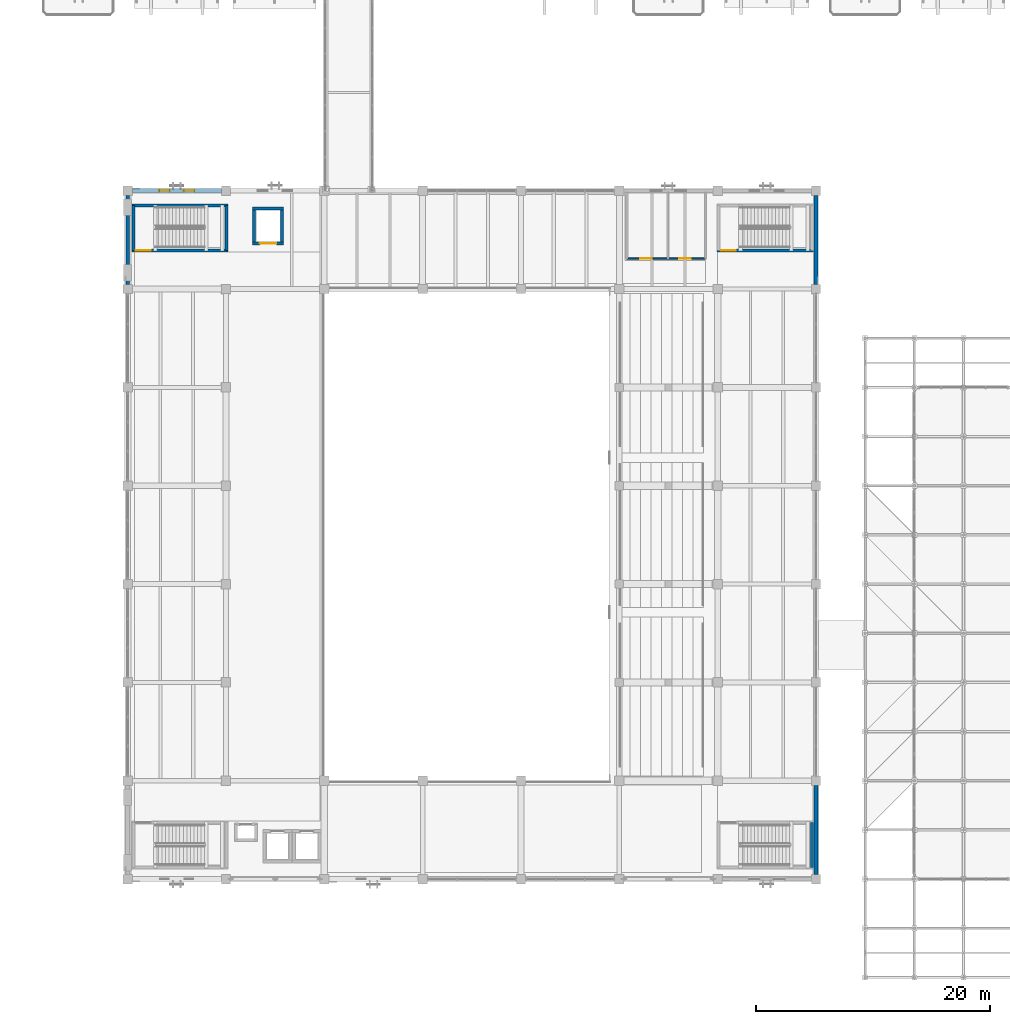
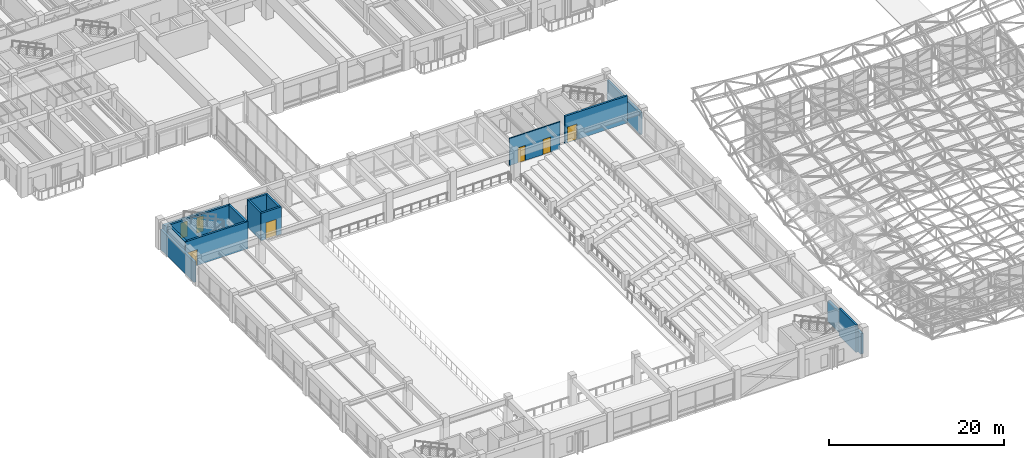
# One storey, part 83 of 132: 15 walls, 5 doors, 2 windows, 7 openings.
"""IFC4 building model written with IfcOpenShell, lengths in metres."""

from ifc_helpers import new_model, si_unit, direction, frame, frame_2d, origin, place, context, subcontext, project, spatial, rectangle, extrude, material, layer, layer_set, type_object, element, fill, save


model = new_model("IFC4")

# Units and contexts
model_context = context("Model", 3, precision=1e-05, world=origin(), true_north=direction((0.0, 1.0)))
body_context = subcontext(model_context, "Body", "Model", "MODEL_VIEW")
ifc_project = project(units=[si_unit("LENGTHUNIT", "METRE"), si_unit("AREAUNIT", "SQUARE_METRE"), si_unit("VOLUMEUNIT", "CUBIC_METRE"), si_unit("PLANEANGLEUNIT", "RADIAN"), si_unit("MASSUNIT", "GRAM", prefix="KILO")], contexts=[model_context])

# Site, building, storey
site_placement = place(None, origin())
site = spatial("IfcSite", under=ifc_project, at=site_placement, CompositionType="ELEMENT")
building_placement = place(site_placement, origin())
building = spatial("IfcBuilding", under=site, at=building_placement, Name="Cumbredor Promenade Congress Hotel", CompositionType="ELEMENT")
storey_placement = place(building_placement, frame((0.0, 0.0, 7.56005859375)))
storey = spatial("IfcBuildingStorey", under=building, at=storey_placement, Name="L02", CompositionType="ELEMENT", Elevation=7.56005859375)

# Walls
ifc_material_1 = material(Name="Concrete C40/50", Category="concrete")
ifc_layer_1 = layer(ifc_material_1, 0.300048828125, Name="Concrete C40/50", Category="concrete")
ifc_layer_set_1 = layer_set([ifc_layer_1], Name="Concrete C40/50")
wall_type_1 = type_object("IfcWallType", Name="WL-EXT-300", PredefinedType="SOLIDWALL", material=ifc_layer_set_1)
wall_1_placement = place(storey_placement, frame((8.39990234375, 59.200927734375, 0.0), z_axis=(0.0, 0.0, 1.0), x_axis=(0.0, 1.0, 0.0)))
element("IfcWall", 1, at=wall_1_placement, inside=storey, type_object=wall_type_1, Name="L02 Plenary Congress Hall West Envelope Wall 7", PredefinedType="SOLIDWALL", context=body_context, shape_type="SweptSolid", body=[
    extrude(rectangle(XDim=7.59814453125, YDim=0.300048828125, at=frame_2d((3.799072265625, 0.0))), origin(), (0.0, 0.0, 1.0), 2.8349609375),
])
wall_2_placement = place(storey_placement, frame((67.199951171875, 59.200927734375, 0.0), z_axis=(0.0, 0.0, 1.0), x_axis=(0.0, 1.0, 0.0)))
element("IfcWall", 2, at=wall_2_placement, inside=storey, type_object=wall_type_1, Name="L02 Plenary Congress Hall East Envelope Wall 7", PredefinedType="SOLIDWALL", context=body_context, shape_type="SweptSolid", body=[
    extrude(rectangle(XDim=7.59814453125, YDim=0.300048828125, at=frame_2d((3.799072265625, 0.0))), origin(), (0.0, 0.0, 1.0), 3.034912109375),
])

# Wall, openings, windows
ifc_layer_2 = layer(ifc_material_1, 0.35009765625, Name="Concrete C40/50", Category="concrete")
ifc_layer_set_2 = layer_set([ifc_layer_2], Name="Concrete C40/50")
wall_type_2 = type_object("IfcWallType", Name="WL-EXT-350", PredefinedType="SOLIDWALL", material=ifc_layer_set_2)
wall_3_placement = place(storey_placement, frame((8.801025390625, 67.199951171875, 0.0), z_axis=(0.0, 0.0, 1.0), x_axis=(1.0, 0.0, 0.0)))
wall_3 = element("IfcWall", 3, at=wall_3_placement, inside=storey, type_object=wall_type_2, Name="L02 Plenary Congress Hall North Envelope Wall 1", PredefinedType="SOLIDWALL", context=body_context, shape_type="SweptSolid", body=[
    extrude(rectangle(XDim=7.597900390625, YDim=0.35009765625, at=frame_2d((3.798828125, 0.0))), origin(), (0.0, 0.0, 1.0), 2.98486328125),
])
opening_1_placement = place(wall_3_placement, frame((2.30908203125, 0.0, 0.300048828125)))
opening_1 = element("IfcOpeningElement", 4, at=opening_1_placement, cuts=wall_3, Name="Opening WN-59", PredefinedType="OPENING", context=body_context, shape_type="SweptSolid", body=[
    extrude(rectangle(XDim=0.8798828125, YDim=2.14990234375, at=frame_2d((0.43994140625, 1.074951171875))), frame((0.0, 0.18505859375, 0.0), z_axis=(0.0, -1.0, 0.0), x_axis=(1.0, 0.0, 0.0)), (0.0, 0.0, 1.0), 0.3701171875),
])
opening_2_placement = place(wall_3_placement, frame((4.408935546875, 0.0, 0.300048828125)))
opening_2 = element("IfcOpeningElement", 5, at=opening_2_placement, cuts=wall_3, Name="Opening WN-59", PredefinedType="OPENING", context=body_context, shape_type="SweptSolid", body=[
    extrude(rectangle(XDim=0.8798828125, YDim=2.14990234375, at=frame_2d((0.43994140625, 1.074951171875))), frame((0.0, 0.18505859375, 0.0), z_axis=(0.0, -1.0, 0.0), x_axis=(1.0, 0.0, 0.0)), (0.0, 0.0, 1.0), 0.3701171875),
])
ifc_material_2 = material(Name="Thermally broken anodized aluminium and low-E glass", Category="aluminium")
window_type = type_object("IfcWindowType", Name="Vertical Slot Window WN-59 880x2150", PartitioningType="SINGLE_PANEL", PredefinedType="WINDOW", material=ifc_material_2)
window_1_placement = place(opening_1_placement, origin())
window_1 = element("IfcWindow", 6, at=window_1_placement, inside=storey, type_object=window_type, Name="L02 Vertical Slot Window 0238", OverallHeight=2.14990234375, OverallWidth=0.8798828125, PartitioningType="SINGLE_PANEL", PredefinedType="WINDOW", context=body_context, shape_type="SweptSolid", body=[
    extrude(rectangle(XDim=0.8798828125, YDim=2.14990234375, at=frame_2d((0.43994140625, 1.074951171875))), frame((0.0, 0.030029296875, 0.0), z_axis=(0.0, -1.0, 0.0), x_axis=(1.0, 0.0, 0.0)), (0.0, 0.0, 1.0), 0.06005859375),
])
fill(opening_1, window_1)
window_2_placement = place(opening_2_placement, origin())
window_2 = element("IfcWindow", 7, at=window_2_placement, inside=storey, type_object=window_type, Name="L02 Vertical Slot Window 0239", OverallHeight=2.14990234375, OverallWidth=0.8798828125, PartitioningType="SINGLE_PANEL", PredefinedType="WINDOW", context=body_context, shape_type="SweptSolid", body=[
    extrude(rectangle(XDim=0.8798828125, YDim=2.14990234375, at=frame_2d((0.43994140625, 1.074951171875))), frame((0.0, 0.030029296875, 0.0), z_axis=(0.0, -1.0, 0.0), x_axis=(1.0, 0.0, 0.0)), (0.0, 0.0, 1.0), 0.06005859375),
])
fill(opening_2, window_2)

# Wall
wall_4_placement = place(storey_placement, frame((67.199951171875, 8.801025390625, 0.0), z_axis=(0.0, 0.0, 1.0), x_axis=(0.0, 1.0, 0.0)))
element("IfcWall", 8, at=wall_4_placement, inside=storey, type_object=wall_type_2, Name="L02 Plenary Congress Hall East Envelope Wall 1", PredefinedType="SOLIDWALL", context=body_context, shape_type="SweptSolid", body=[
    extrude(rectangle(XDim=7.597900390625, YDim=0.35009765625, at=frame_2d((3.798828125, 0.0))), origin(), (0.0, 0.0, 1.0), 2.8349609375),
])

# Wall, openings, doors
ifc_material_3 = material(Name="Acoustic gypsum partition on steel studs", Category="steel")
ifc_layer_3 = layer(ifc_material_3, 0.139892578125, Name="Acoustic gypsum partition on steel studs", Category="steel")
ifc_layer_set_3 = layer_set([ifc_layer_3], Name="Acoustic gypsum partition on steel studs")
wall_type_3 = type_object("IfcWallType", Name="WL-PART-140", PredefinedType="PARTITIONING", material=ifc_layer_set_3)
wall_5_placement = place(storey_placement, frame((51.050048828125, 61.39990234375, 0.0), z_axis=(0.0, 0.0, 1.0), x_axis=(1.0, 0.0, 0.0)))
wall_5 = element("IfcWall", 9, at=wall_5_placement, inside=storey, type_object=wall_type_3, Name="L02 Interior Partition W-L02-V1-WC", PredefinedType="PARTITIONING", context=body_context, shape_type="SweptSolid", body=[
    extrude(rectangle(XDim=6.699951171875, YDim=0.139892578125, at=frame_2d((3.35009765625, 0.0))), origin(), (0.0, 0.0, 1.0), 3.800048828125),
])
opening_3_placement = place(wall_5_placement, frame((1.14990234375, 0.0, 0.0)))
opening_3 = element("IfcOpeningElement", 10, at=opening_3_placement, cuts=wall_5, Name="Opening ID-02", PredefinedType="OPENING", context=body_context, shape_type="SweptSolid", body=[
    extrude(rectangle(XDim=0.949951171875, YDim=2.10009765625, at=frame_2d((0.47509765625, 1.050048828125))), frame((0.0, 0.080078125, 0.0), z_axis=(0.0, -1.0, 0.0), x_axis=(1.0, 0.0, 0.0)), (0.0, 0.0, 1.0), 0.159912109375),
])
opening_4_placement = place(wall_5_placement, frame((4.449951171875, 0.0, 0.0)))
opening_4 = element("IfcOpeningElement", 11, at=opening_4_placement, cuts=wall_5, Name="Opening ID-03", PredefinedType="OPENING", context=body_context, shape_type="SweptSolid", body=[
    extrude(rectangle(XDim=1.0, YDim=2.10009765625, at=frame_2d((0.5, 1.050048828125))), frame((0.0, 0.080078125, 0.0), z_axis=(0.0, -1.0, 0.0), x_axis=(1.0, 0.0, 0.0)), (0.0, 0.0, 1.0), 0.159912109375),
])
ifc_material_4 = material(Name="Kiln-dried tropical hardwood", Category="wood")
door_type_1 = type_object("IfcDoorType", Name="DR-ACC-1000", OperationType="NOTDEFINED", PredefinedType="DOOR", material=ifc_material_4)
door_1_placement = place(opening_4_placement, origin())
door_1 = element("IfcDoor", 12, at=door_1_placement, inside=storey, type_object=door_type_1, Name="L02 Interior Door W-L02-V1-WC-02", OperationType="SINGLE_SWING_LEFT", OverallHeight=2.10009765625, OverallWidth=1.0, PredefinedType="DOOR", context=body_context, shape_type="SweptSolid", body=[
    extrude(rectangle(XDim=1.0, YDim=2.10009765625, at=frame_2d((0.5, 1.050048828125))), frame((0.0, 0.02490234375, 0.0), z_axis=(0.0, -1.0, 0.0), x_axis=(1.0, 0.0, 0.0)), (0.0, 0.0, 1.0), 0.050048828125),
])
fill(opening_4, door_1)
door_type_2 = type_object("IfcDoorType", Name="DR-INT-950", OperationType="NOTDEFINED", PredefinedType="DOOR", material=ifc_material_4)
door_2_placement = place(opening_3_placement, origin())
door_2 = element("IfcDoor", 13, at=door_2_placement, inside=storey, type_object=door_type_2, Name="L02 Interior Door W-L02-V1-WC-01", OperationType="SINGLE_SWING_RIGHT", OverallHeight=2.10009765625, OverallWidth=0.949951171875, PredefinedType="DOOR", context=body_context, shape_type="SweptSolid", body=[
    extrude(rectangle(XDim=0.949951171875, YDim=2.10009765625, at=frame_2d((0.47509765625, 1.050048828125))), frame((0.0, 0.02490234375, 0.0), z_axis=(0.0, -1.0, 0.0), x_axis=(1.0, 0.0, 0.0)), (0.0, 0.0, 1.0), 0.050048828125),
])
fill(opening_3, door_2)

# Wall
ifc_layer_4 = layer(ifc_material_1, 0.2548828125, Name="Concrete C40/50", Category="concrete")
ifc_layer_set_4 = layer_set([ifc_layer_4], Name="Concrete C40/50")
wall_type_4 = type_object("IfcWallType", Name="WL-SHAFT-250", PredefinedType="SOLIDWALL", material=ifc_layer_set_4)
wall_6_placement = place(storey_placement, frame((66.85009765625, 9.3798828125, 0.0), z_axis=(0.0, 0.0, 1.0), x_axis=(0.0, 1.0, 0.0)))
element("IfcWall", 14, at=wall_6_placement, inside=storey, type_object=wall_type_4, Name="STAIR-ST-05-L02 Shaft Wall East", PredefinedType="SOLIDWALL", context=body_context, shape_type="SweptSolid", body=[
    extrude(rectangle(XDim=3.8701171875, YDim=0.2548828125, at=frame_2d((1.93505859375, 0.0))), origin(), (0.0, 0.0, 1.0), 3.800048828125),
])

# Wall, opening, door
wall_7_placement = place(storey_placement, frame((8.75244140625, 62.10009765625, 0.0), z_axis=(0.0, 0.0, 1.0), x_axis=(1.0, 0.0, 0.0)))
wall_7 = element("IfcWall", 15, at=wall_7_placement, inside=storey, type_object=wall_type_4, Name="STAIR-ST-06-L02 Shaft Wall South", PredefinedType="SOLIDWALL", context=body_context, shape_type="SweptSolid", body=[
    extrude(rectangle(XDim=8.22509765625, YDim=0.2548828125, at=frame_2d((4.112548828125, 0.0))), origin(), (0.0, 0.0, 1.0), 3.800048828125),
])
opening_5_placement = place(wall_7_placement, frame((0.35009765625, 0.0, 0.0)))
opening_5 = element("IfcOpeningElement", 16, at=opening_5_placement, cuts=wall_7, Name="Opening SD-02", PredefinedType="OPENING", context=body_context, shape_type="SweptSolid", body=[
    extrude(rectangle(XDim=1.25, YDim=2.199951171875, at=frame_2d((0.625, 1.10009765625))), frame((0.0, 0.137451171875, 0.0), z_axis=(0.0, -1.0, 0.0), x_axis=(1.0, 0.0, 0.0)), (0.0, 0.0, 1.0), 0.27490234375),
])
ifc_material_5 = material(Name="Painted galvanized steel fire door", Category="steel")
door_type_3 = type_object("IfcDoorType", Name="DR-STAIR-FD90-1250", OperationType="NOTDEFINED", PredefinedType="DOOR", material=ifc_material_5)
door_3_placement = place(opening_5_placement, origin())
door_3 = element("IfcDoor", 17, at=door_3_placement, inside=storey, type_object=door_type_3, Name="L02 Protected Exit Stair ST-06 Door", OperationType="SINGLE_SWING_LEFT", OverallHeight=2.199951171875, OverallWidth=1.25, PredefinedType="DOOR", context=body_context, shape_type="SweptSolid", body=[
    extrude(rectangle(XDim=1.25, YDim=2.199951171875, at=frame_2d((0.625, 1.10009765625))), frame((0.0, 0.02490234375, 0.0), z_axis=(0.0, -1.0, 0.0), x_axis=(1.0, 0.0, 0.0)), (0.0, 0.0, 1.0), 0.050048828125),
])
fill(opening_5, door_3)

# Walls
wall_8_placement = place(storey_placement, frame((8.75244140625, 65.949951171875, 0.0), z_axis=(0.0, 0.0, 1.0), x_axis=(1.0, 0.0, 0.0)))
element("IfcWall", 18, at=wall_8_placement, inside=storey, type_object=wall_type_4, Name="STAIR-ST-06-L02 Shaft Wall North", PredefinedType="SOLIDWALL", context=body_context, shape_type="SweptSolid", body=[
    extrude(rectangle(XDim=8.22509765625, YDim=0.2548828125, at=frame_2d((4.112548828125, 0.0))), origin(), (0.0, 0.0, 1.0), 3.800048828125),
])
for number, where, z_axis, x_axis, name in (
    (19, (8.8798828125, 62.10009765625, 0.0), (0.0, 0.0, 1.0), (0.0, 1.0, 0.0), "STAIR-ST-06-L02 Shaft Wall West"),
    (20, (16.85009765625, 62.10009765625, 0.0), (0.0, 0.0, 1.0), (0.0, 1.0, 0.0), "STAIR-ST-06-L02 Shaft Wall East"),
):
    element("IfcWall", number, at=place(storey_placement, frame(where, z_axis=z_axis, x_axis=x_axis)), inside=storey, type_object=wall_type_4, Name=name, PredefinedType="SOLIDWALL", context=body_context, shape_type="SweptSolid", body=[
        extrude(rectangle(XDim=3.849853515625, YDim=0.2548828125, at=frame_2d((1.9248046875, 0.0))), origin(), (0.0, 0.0, 1.0), 3.800048828125),
    ])

# Wall, opening, door
wall_9_placement = place(storey_placement, frame((58.75244140625, 62.10009765625, 0.0), z_axis=(0.0, 0.0, 1.0), x_axis=(1.0, 0.0, 0.0)))
wall_9 = element("IfcWall", 21, at=wall_9_placement, inside=storey, type_object=wall_type_4, Name="STAIR-ST-07-L02 Shaft Wall South", PredefinedType="SOLIDWALL", context=body_context, shape_type="SweptSolid", body=[
    extrude(rectangle(XDim=8.22509765625, YDim=0.2548828125, at=frame_2d((4.112548828125, 0.0))), origin(), (0.0, 0.0, 1.0), 3.800048828125),
])
opening_6_placement = place(wall_9_placement, frame((0.35009765625, 0.0, 0.0)))
opening_6 = element("IfcOpeningElement", 22, at=opening_6_placement, cuts=wall_9, Name="Opening SD-02", PredefinedType="OPENING", context=body_context, shape_type="SweptSolid", body=[
    extrude(rectangle(XDim=1.25, YDim=2.199951171875, at=frame_2d((0.625, 1.10009765625))), frame((0.0, 0.137451171875, 0.0), z_axis=(0.0, -1.0, 0.0), x_axis=(1.0, 0.0, 0.0)), (0.0, 0.0, 1.0), 0.27490234375),
])
door_4_placement = place(opening_6_placement, origin())
door_4 = element("IfcDoor", 23, at=door_4_placement, inside=storey, type_object=door_type_3, Name="L02 Protected Exit Stair ST-07 Door", OperationType="SINGLE_SWING_LEFT", OverallHeight=2.199951171875, OverallWidth=1.25, PredefinedType="DOOR", context=body_context, shape_type="SweptSolid", body=[
    extrude(rectangle(XDim=1.25, YDim=2.199951171875, at=frame_2d((0.625, 1.10009765625))), frame((0.0, 0.02490234375, 0.0), z_axis=(0.0, -1.0, 0.0), x_axis=(1.0, 0.0, 0.0)), (0.0, 0.0, 1.0), 0.050048828125),
])
fill(opening_6, door_4)

wall_10_placement = place(storey_placement, frame((19.072509765625, 62.699951171875, 0.0), z_axis=(0.0, 0.0, 1.0), x_axis=(1.0, 0.0, 0.0)))
wall_10 = element("IfcWall", 24, at=wall_10_placement, inside=storey, type_object=wall_type_4, Name="SHAFT-SV-01-L02 Shaft Wall South", PredefinedType="SOLIDWALL", context=body_context, shape_type="SweptSolid", body=[
    extrude(rectangle(XDim=2.655029296875, YDim=0.2548828125, at=frame_2d((1.32763671875, 0.0))), origin(), (0.0, 0.0, 1.0), 3.800048828125),
])
opening_7_placement = place(wall_10_placement, frame((0.62744140625, 0.0, 0.0)))
opening_7 = element("IfcOpeningElement", 25, at=opening_7_placement, cuts=wall_10, Name="Opening LD-03", PredefinedType="OPENING", context=body_context, shape_type="SweptSolid", body=[
    extrude(rectangle(XDim=1.39990234375, YDim=2.300048828125, at=frame_2d((0.699951171875, 1.14990234375))), frame((0.0, 0.137451171875, 0.0), z_axis=(0.0, -1.0, 0.0), x_axis=(1.0, 0.0, 0.0)), (0.0, 0.0, 1.0), 0.27490234375),
])
ifc_material_6 = material(Name="Brushed stainless steel", Category="steel")
door_type_4 = type_object("IfcDoorType", Name="Service Lift Sliding Door LD-03 1400x2300", OperationType="DOUBLE_DOOR_SLIDING", PredefinedType="DOOR", material=ifc_material_6)
door_5_placement = place(opening_7_placement, origin())
door_5 = element("IfcDoor", 26, at=door_5_placement, inside=storey, type_object=door_type_4, Name="L02 Plenary Stage Goods Lift SV-01 Sliding Landing Door", OperationType="DOUBLE_DOOR_SLIDING", OverallHeight=2.300048828125, OverallWidth=1.39990234375, PredefinedType="DOOR", context=body_context, shape_type="SweptSolid", body=[
    extrude(rectangle(XDim=1.39990234375, YDim=2.300048828125, at=frame_2d((0.699951171875, 1.14990234375))), frame((0.0, 0.02490234375, 0.0), z_axis=(0.0, -1.0, 0.0), x_axis=(1.0, 0.0, 0.0)), (0.0, 0.0, 1.0), 0.050048828125),
])
fill(opening_7, door_5)

# Walls
wall_11_placement = place(storey_placement, frame((19.072509765625, 65.699951171875, 0.0), z_axis=(0.0, 0.0, 1.0), x_axis=(1.0, 0.0, 0.0)))
element("IfcWall", 27, at=wall_11_placement, inside=storey, type_object=wall_type_4, Name="SHAFT-SV-01-L02 Shaft Wall North", PredefinedType="SOLIDWALL", context=body_context, shape_type="SweptSolid", body=[
    extrude(rectangle(XDim=2.655029296875, YDim=0.2548828125, at=frame_2d((1.32763671875, 0.0))), origin(), (0.0, 0.0, 1.0), 3.800048828125),
])
for number, where, z_axis, x_axis, name in (
    (28, (19.199951171875, 62.699951171875, 0.0), (0.0, 0.0, 1.0), (0.0, 1.0, 0.0), "SHAFT-SV-01-L02 Shaft Wall West"),
    (29, (21.60009765625, 62.699951171875, 0.0), (0.0, 0.0, 1.0), (0.0, 1.0, 0.0), "SHAFT-SV-01-L02 Shaft Wall East"),
):
    element("IfcWall", number, at=place(storey_placement, frame(where, z_axis=z_axis, x_axis=x_axis)), inside=storey, type_object=wall_type_4, Name=name, PredefinedType="SOLIDWALL", context=body_context, shape_type="SweptSolid", body=[
        extrude(rectangle(XDim=3.0, YDim=0.2548828125, at=frame_2d((1.5, 0.0))), origin(), (0.0, 0.0, 1.0), 3.800048828125),
    ])

save(model, "model.ifc")
